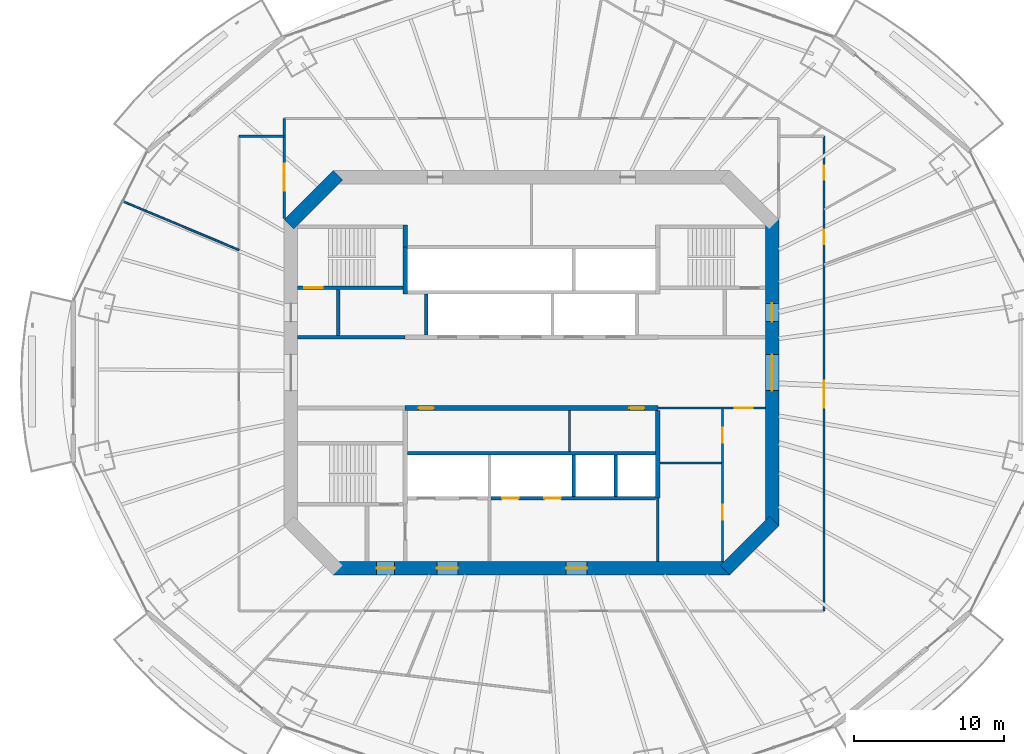
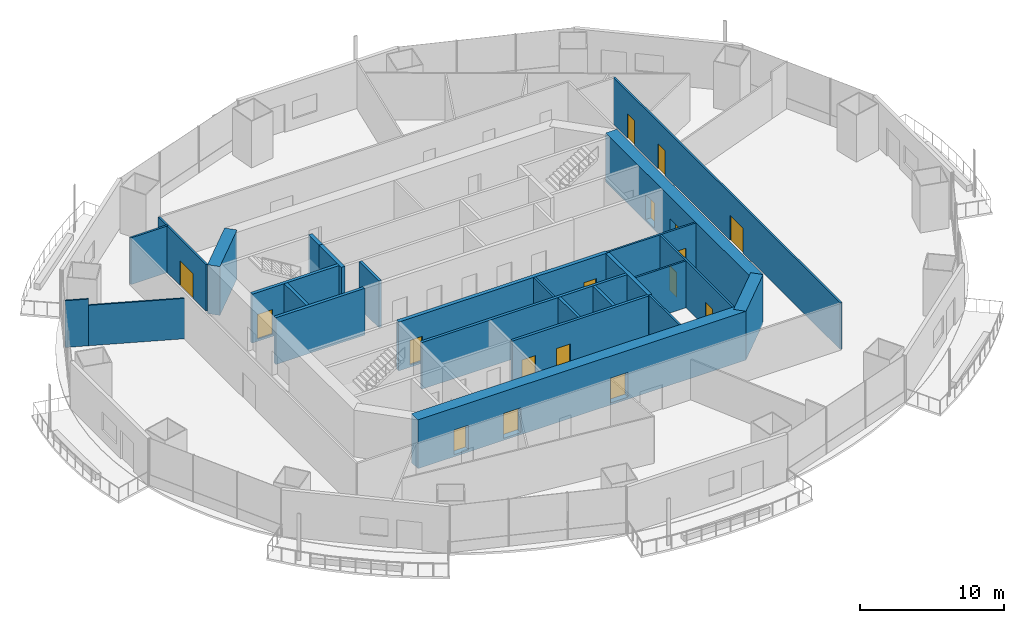
# One storey, part 13 of 21: 26 walls, 17 doors, 17 openings.
"""IFC4 building model written with IfcOpenShell, lengths in metres."""

from ifc_helpers import new_model, si_unit, direction, frame, frame_2d, origin, place, context, subcontext, project, spatial, rectangle, extrude, material, layer, layer_set, type_object, element, fill, save


model = new_model("IFC4")

# Units and contexts
model_context = context("Model", 3, precision=1e-05, world=origin(), true_north=direction((0.0, 1.0)))
body_context = subcontext(model_context, "Body", "Model", "MODEL_VIEW")
ifc_project = project(units=[si_unit("LENGTHUNIT", "METRE"), si_unit("AREAUNIT", "SQUARE_METRE"), si_unit("VOLUMEUNIT", "CUBIC_METRE"), si_unit("PLANEANGLEUNIT", "RADIAN"), si_unit("MASSUNIT", "GRAM", prefix="KILO")], contexts=[model_context])

# Site, building, storey
site_placement = place(None, origin())
site = spatial("IfcSite", under=ifc_project, at=site_placement, CompositionType="ELEMENT")
building_placement = place(site_placement, origin())
building = spatial("IfcBuilding", under=site, at=building_placement, Name="Marenthal Gate Tower", CompositionType="ELEMENT")
storey_placement = place(building_placement, frame((0.0, 0.0, 165.199951171875)))
storey = spatial("IfcBuildingStorey", under=building, at=storey_placement, Name="L35", CompositionType="ELEMENT", Elevation=165.199951171875)

# Wall
ifc_material_1 = material(Name="Concrete 60 MPa", Category="concrete")
ifc_layer_1 = layer(ifc_material_1, 0.89990234375)
ifc_layer_set_1 = layer_set([ifc_layer_1], Name="Core shear wall 900")
wall_type_1 = type_object("IfcWallType", Name="Core shear wall 900", PredefinedType="SHEAR", material=ifc_layer_set_1)
wall_1_placement = place(storey_placement, frame((12.8681640625, -13.1318359375, -0.179931640625), z_axis=(0.0, 0.0, 1.0), x_axis=(0.707106781187, 0.707106781187, 0.0)))
element("IfcWall", 1, at=wall_1_placement, inside=storey, type_object=wall_type_1, Name="Core wall 01", PredefinedType="SHEAR", context=body_context, shape_type="SweptSolid", body=[
    extrude(rectangle(XDim=4.615478515625, YDim=0.89990234375, at=frame_2d((2.3076171875, 0.0))), origin(), (0.0, 0.0, 1.0), 4.14990234375),
])

# Wall, openings, doors
wall_2_placement = place(storey_placement, frame((16.0, -10.186279296875, -0.179931640625), z_axis=(0.0, 0.0, 1.0), x_axis=(0.0, 1.0, 0.0)))
wall_2 = element("IfcWall", 2, at=wall_2_placement, inside=storey, type_object=wall_type_1, Name="Core wall 02", PredefinedType="SHEAR", context=body_context, shape_type="SweptSolid", body=[
    extrude(rectangle(XDim=20.37255859375, YDim=0.89990234375, at=frame_2d((10.186279296875, 0.0))), origin(), (0.0, 0.0, 1.0), 4.14990234375),
])
opening_1_placement = place(wall_2_placement, frame((8.986328125, 0.0, 0.179931640625)))
opening_1 = element("IfcOpeningElement", 3, at=opening_1_placement, cuts=wall_2, Name="Opening D003.02", PredefinedType="OPENING", context=body_context, shape_type="SweptSolid", body=[
    extrude(rectangle(XDim=2.39990234375, YDim=2.10009765625, at=frame_2d((1.199951171875, 1.050048828125))), frame((0.0, 0.4599609375, 0.0), z_axis=(0.0, -1.0, 0.0), x_axis=(1.0, 0.0, 0.0)), (0.0, 0.0, 1.0), 0.919921875),
])
opening_2_placement = place(wall_2_placement, frame((13.58642578125, 0.0, 0.179931640625)))
opening_2 = element("IfcOpeningElement", 4, at=opening_2_placement, cuts=wall_2, Name="Opening D001.05", PredefinedType="OPENING", context=body_context, shape_type="SweptSolid", body=[
    extrude(rectangle(XDim=1.199951171875, YDim=2.10009765625, at=frame_2d((0.60009765625, 1.050048828125))), frame((0.0, 0.4599609375, 0.0), z_axis=(0.0, -1.0, 0.0), x_axis=(1.0, 0.0, 0.0)), (0.0, 0.0, 1.0), 0.919921875),
])
ifc_material_2 = material(Name="Steel fire door", Category="steel")
door_type_1 = type_object("IfcDoorType", Name="Double fire door FD 45 2400 x 2100", OperationType="DOUBLE_DOOR_SINGLE_SWING", PredefinedType="DOOR", material=ifc_material_2)
door_1_placement = place(opening_1_placement, origin())
door_1 = element("IfcDoor", 5, at=door_1_placement, inside=storey, type_object=door_type_1, Name="Door D003.02", OperationType="DOUBLE_DOOR_SINGLE_SWING", OverallHeight=2.10009765625, OverallWidth=2.39990234375, PredefinedType="DOOR", context=body_context, shape_type="SweptSolid", body=[
    extrude(rectangle(XDim=2.39990234375, YDim=2.10009765625, at=frame_2d((1.199951171875, 1.050048828125))), frame((0.0, 0.02490234375, 0.0), z_axis=(0.0, -1.0, 0.0), x_axis=(1.0, 0.0, 0.0)), (0.0, 0.0, 1.0), 0.050048828125),
])
fill(opening_1, door_1)
ifc_material_3 = material(Name="Steel fire door", Category="steel")
door_type_2 = type_object("IfcDoorType", Name="Fire door FD 90 1200 x 2100", OperationType="NOTDEFINED", PredefinedType="DOOR", material=ifc_material_3)
door_2_placement = place(opening_2_placement, origin())
door_2 = element("IfcDoor", 6, at=door_2_placement, inside=storey, type_object=door_type_2, Name="Door D001.05", OperationType="SINGLE_SWING_RIGHT", OverallHeight=2.10009765625, OverallWidth=1.199951171875, PredefinedType="DOOR", context=body_context, shape_type="SweptSolid", body=[
    extrude(rectangle(XDim=1.199951171875, YDim=2.10009765625, at=frame_2d((0.60009765625, 1.050048828125))), frame((0.0, 0.02490234375, 0.0), z_axis=(0.0, -1.0, 0.0), x_axis=(1.0, 0.0, 0.0)), (0.0, 0.0, 1.0), 0.050048828125),
])
fill(opening_2, door_2)

# Wall
wall_3_placement = place(storey_placement, frame((-12.8681640625, 13.1318359375, -0.179931640625), z_axis=(0.0, 0.0, 1.0), x_axis=(-0.707106781187, -0.707106781187, 0.0)))
element("IfcWall", 7, at=wall_3_placement, inside=storey, type_object=wall_type_1, Name="Core wall 05", PredefinedType="SHEAR", context=body_context, shape_type="SweptSolid", body=[
    extrude(rectangle(XDim=4.615478515625, YDim=0.89990234375, at=frame_2d((2.3076171875, 0.0))), origin(), (0.0, 0.0, 1.0), 4.14990234375),
])

# Wall, openings, doors
wall_4_placement = place(storey_placement, frame((-13.186279296875, -13.0, -0.179931640625), z_axis=(0.0, 0.0, 1.0), x_axis=(1.0, 0.0, 0.0)))
wall_4 = element("IfcWall", 8, at=wall_4_placement, inside=storey, type_object=wall_type_1, Name="Core wall 08", PredefinedType="SHEAR", context=body_context, shape_type="SweptSolid", body=[
    extrude(rectangle(XDim=26.37255859375, YDim=0.89990234375, at=frame_2d((13.186279296875, 0.0))), origin(), (0.0, 0.0, 1.0), 4.14990234375),
])
opening_3_placement = place(wall_4_placement, frame((2.886474609375, 0.0, 0.179931640625)))
opening_3 = element("IfcOpeningElement", 9, at=opening_3_placement, cuts=wall_4, Name="Opening D001.06", PredefinedType="OPENING", context=body_context, shape_type="SweptSolid", body=[
    extrude(rectangle(XDim=1.199951171875, YDim=2.10009765625, at=frame_2d((0.60009765625, 1.050048828125))), frame((0.0, 0.4599609375, 0.0), z_axis=(0.0, -1.0, 0.0), x_axis=(1.0, 0.0, 0.0)), (0.0, 0.0, 1.0), 0.919921875),
])
opening_4_placement = place(wall_4_placement, frame((6.886474609375, 0.0, 0.179931640625)))
opening_4 = element("IfcOpeningElement", 10, at=opening_4_placement, cuts=wall_4, Name="Opening D004.01", PredefinedType="OPENING", context=body_context, shape_type="SweptSolid", body=[
    extrude(rectangle(XDim=1.39990234375, YDim=2.10009765625, at=frame_2d((0.699951171875, 1.050048828125))), frame((0.0, 0.4599609375, 0.0), z_axis=(0.0, -1.0, 0.0), x_axis=(1.0, 0.0, 0.0)), (0.0, 0.0, 1.0), 0.919921875),
])
opening_5_placement = place(wall_4_placement, frame((15.486328125, 0.0, 0.179931640625)))
opening_5 = element("IfcOpeningElement", 11, at=opening_5_placement, cuts=wall_4, Name="Opening D004.02", PredefinedType="OPENING", context=body_context, shape_type="SweptSolid", body=[
    extrude(rectangle(XDim=1.39990234375, YDim=2.10009765625, at=frame_2d((0.699951171875, 1.050048828125))), frame((0.0, 0.4599609375, 0.0), z_axis=(0.0, -1.0, 0.0), x_axis=(1.0, 0.0, 0.0)), (0.0, 0.0, 1.0), 0.919921875),
])
ifc_material_4 = material(Name="Steel fire door", Category="steel")
door_type_3 = type_object("IfcDoorType", Name="Fire door FD 45 1400 x 2100", OperationType="NOTDEFINED", PredefinedType="DOOR", material=ifc_material_4)
door_3_placement = place(opening_4_placement, origin())
door_3 = element("IfcDoor", 12, at=door_3_placement, inside=storey, type_object=door_type_3, Name="Door D004.01", OperationType="SINGLE_SWING_RIGHT", OverallHeight=2.10009765625, OverallWidth=1.39990234375, PredefinedType="DOOR", context=body_context, shape_type="SweptSolid", body=[
    extrude(rectangle(XDim=1.39990234375, YDim=2.10009765625, at=frame_2d((0.699951171875, 1.050048828125))), frame((0.0, 0.02490234375, 0.0), z_axis=(0.0, -1.0, 0.0), x_axis=(1.0, 0.0, 0.0)), (0.0, 0.0, 1.0), 0.050048828125),
])
fill(opening_4, door_3)
door_4_placement = place(opening_5_placement, origin())
door_4 = element("IfcDoor", 13, at=door_4_placement, inside=storey, type_object=door_type_3, Name="Door D004.02", OperationType="SINGLE_SWING_RIGHT", OverallHeight=2.10009765625, OverallWidth=1.39990234375, PredefinedType="DOOR", context=body_context, shape_type="SweptSolid", body=[
    extrude(rectangle(XDim=1.39990234375, YDim=2.10009765625, at=frame_2d((0.699951171875, 1.050048828125))), frame((0.0, 0.02490234375, 0.0), z_axis=(0.0, -1.0, 0.0), x_axis=(1.0, 0.0, 0.0)), (0.0, 0.0, 1.0), 0.050048828125),
])
fill(opening_5, door_4)
door_5_placement = place(opening_3_placement, origin())
door_5 = element("IfcDoor", 14, at=door_5_placement, inside=storey, type_object=door_type_2, Name="Door D001.06", OperationType="SINGLE_SWING_RIGHT", OverallHeight=2.10009765625, OverallWidth=1.199951171875, PredefinedType="DOOR", context=body_context, shape_type="SweptSolid", body=[
    extrude(rectangle(XDim=1.199951171875, YDim=2.10009765625, at=frame_2d((0.60009765625, 1.050048828125))), frame((0.0, 0.02490234375, 0.0), z_axis=(0.0, -1.0, 0.0), x_axis=(1.0, 0.0, 0.0)), (0.0, 0.0, 1.0), 0.050048828125),
])
fill(opening_3, door_5)

ifc_material_5 = material(Name="Concrete 50 MPa", Category="concrete")
ifc_layer_2 = layer(ifc_material_5, 0.300048828125)
ifc_layer_set_2 = layer_set([ifc_layer_2], Name="Hoistway shear wall 300")
wall_type_2 = type_object("IfcWallType", Name="Hoistway shear wall 300", PredefinedType="SHEAR", material=ifc_layer_set_2)
wall_5_placement = place(storey_placement, frame((-8.39990234375, -2.35009765625, -0.179931640625), z_axis=(0.0, 0.0, 1.0), x_axis=(1.0, 0.0, 0.0)))
wall_5 = element("IfcWall", 15, at=wall_5_placement, inside=storey, type_object=wall_type_2, Name="Hoistway wall 16", PredefinedType="SHEAR", context=body_context, shape_type="SweptSolid", body=[
    extrude(rectangle(XDim=16.7998046875, YDim=0.300048828125, at=frame_2d((8.39990234375, 0.0))), origin(), (0.0, 0.0, 1.0), 4.14990234375),
])
opening_6_placement = place(wall_5_placement, frame((0.89990234375, 0.0, 0.179931640625)))
opening_6 = element("IfcOpeningElement", 16, at=opening_6_placement, cuts=wall_5, Name="Opening D005.01", PredefinedType="OPENING", context=body_context, shape_type="SweptSolid", body=[
    extrude(rectangle(XDim=1.0, YDim=2.10009765625, at=frame_2d((0.5, 1.050048828125))), frame((0.0, 0.16015625, 0.0), z_axis=(0.0, -1.0, 0.0), x_axis=(1.0, 0.0, 0.0)), (0.0, 0.0, 1.0), 0.320068359375),
])
opening_7_placement = place(wall_5_placement, frame((14.89990234375, 0.0, 0.179931640625)))
opening_7 = element("IfcOpeningElement", 17, at=opening_7_placement, cuts=wall_5, Name="Opening D005.02", PredefinedType="OPENING", context=body_context, shape_type="SweptSolid", body=[
    extrude(rectangle(XDim=1.0, YDim=2.10009765625, at=frame_2d((0.5, 1.050048828125))), frame((0.0, 0.16015625, 0.0), z_axis=(0.0, -1.0, 0.0), x_axis=(1.0, 0.0, 0.0)), (0.0, 0.0, 1.0), 0.320068359375),
])
ifc_material_6 = material(Name="Steel fire door", Category="steel")
door_type_4 = type_object("IfcDoorType", Name="Fire door FD 45 1000 x 2100", OperationType="NOTDEFINED", PredefinedType="DOOR", material=ifc_material_6)
door_6_placement = place(opening_6_placement, frame((1.0, 0.0, 0.0), z_axis=(0.0, 0.0, 1.0), x_axis=(-1.0, 0.0, 0.0)))
door_6 = element("IfcDoor", 18, at=door_6_placement, inside=storey, type_object=door_type_4, Name="Door D005.01", OperationType="SINGLE_SWING_LEFT", OverallHeight=2.10009765625, OverallWidth=1.0, PredefinedType="DOOR", context=body_context, shape_type="SweptSolid", body=[
    extrude(rectangle(XDim=1.0, YDim=2.10009765625, at=frame_2d((0.5, 1.050048828125))), frame((0.0, 0.02490234375, 0.0), z_axis=(0.0, -1.0, 0.0), x_axis=(1.0, 0.0, 0.0)), (0.0, 0.0, 1.0), 0.050048828125),
])
fill(opening_6, door_6)
door_7_placement = place(opening_7_placement, frame((1.0, 0.0, 0.0), z_axis=(0.0, 0.0, 1.0), x_axis=(-1.0, 0.0, 0.0)))
door_7 = element("IfcDoor", 19, at=door_7_placement, inside=storey, type_object=door_type_4, Name="Door D005.02", OperationType="SINGLE_SWING_LEFT", OverallHeight=2.10009765625, OverallWidth=1.0, PredefinedType="DOOR", context=body_context, shape_type="SweptSolid", body=[
    extrude(rectangle(XDim=1.0, YDim=2.10009765625, at=frame_2d((0.5, 1.050048828125))), frame((0.0, 0.02490234375, 0.0), z_axis=(0.0, -1.0, 0.0), x_axis=(1.0, 0.0, 0.0)), (0.0, 0.0, 1.0), 0.050048828125),
])
fill(opening_7, door_7)

# Walls
wall_6_placement = place(storey_placement, frame((-8.39990234375, 5.239990234375, -0.179931640625), z_axis=(0.0, 0.0, 1.0), x_axis=(0.0, 1.0, 0.0)))
element("IfcWall", 20, at=wall_6_placement, inside=storey, type_object=wall_type_2, Name="Hoistway wall 31", PredefinedType="SHEAR", context=body_context, shape_type="SweptSolid", body=[
    extrude(rectangle(XDim=3.110107421875, YDim=0.300048828125, at=frame_2d((1.55517578125, 0.0))), origin(), (0.0, 0.0, 1.0), 4.14990234375),
])
wall_7_placement = place(storey_placement, frame((8.39990234375, -8.35009765625, -0.179931640625), z_axis=(0.0, 0.0, 1.0), x_axis=(0.0, 1.0, 0.0)))
element("IfcWall", 21, at=wall_7_placement, inside=storey, type_object=wall_type_2, Name="Hoistway wall 44", PredefinedType="SHEAR", context=body_context, shape_type="SweptSolid", body=[
    extrude(rectangle(XDim=5.85009765625, YDim=0.300048828125, at=frame_2d((2.925048828125, 0.0))), origin(), (0.0, 0.0, 1.0), 4.14990234375),
])

# Wall, openings, doors
ifc_material_7 = material(Name="Concrete 40 MPa", Category="concrete")
ifc_layer_3 = layer(ifc_material_7, 0.219970703125)
ifc_layer_set_3 = layer_set([ifc_layer_3], Name="Hoistway wall 220")
wall_type_3 = type_object("IfcWallType", Name="Hoistway wall 220", PredefinedType="STANDARD", material=ifc_layer_set_3)
wall_8_placement = place(storey_placement, frame((-2.68994140625, -8.35009765625, 0.0), z_axis=(0.0, 0.0, 1.0), x_axis=(1.0, 0.0, 0.0)))
wall_8 = element("IfcWall", 22, at=wall_8_placement, inside=storey, type_object=wall_type_3, Name="Hoistway wall 11", PredefinedType="STANDARD", context=body_context, shape_type="SweptSolid", body=[
    extrude(rectangle(XDim=10.93994140625, YDim=0.219970703125, at=frame_2d((5.469970703125, 0.0))), origin(), (0.0, 0.0, 1.0), 3.969970703125),
])
opening_8_placement = place(wall_8_placement, frame((0.739990234375, 0.0, 0.0)))
opening_8 = element("IfcOpeningElement", 23, at=opening_8_placement, cuts=wall_8, Name="Opening LD-SV1", PredefinedType="OPENING", context=body_context, shape_type="SweptSolid", body=[
    extrude(rectangle(XDim=1.10009765625, YDim=2.10009765625, at=frame_2d((0.550048828125, 1.050048828125))), frame((0.0, 0.1201171875, 0.0), z_axis=(0.0, -1.0, 0.0), x_axis=(1.0, 0.0, 0.0)), (0.0, 0.0, 1.0), 0.239990234375),
])
opening_9_placement = place(wall_8_placement, frame((3.5400390625, 0.0, 0.0)))
opening_9 = element("IfcOpeningElement", 24, at=opening_9_placement, cuts=wall_8, Name="Opening LD-SV2", PredefinedType="OPENING", context=body_context, shape_type="SweptSolid", body=[
    extrude(rectangle(XDim=1.10009765625, YDim=2.10009765625, at=frame_2d((0.550048828125, 1.050048828125))), frame((0.0, 0.1201171875, 0.0), z_axis=(0.0, -1.0, 0.0), x_axis=(1.0, 0.0, 0.0)), (0.0, 0.0, 1.0), 0.239990234375),
])
ifc_material_8 = material(Name="Stainless steel sliding door", Category="steel")
door_type_5 = type_object("IfcDoorType", Name="Lift landing door FD 90 1100 x 2100", OperationType="DOUBLE_DOOR_SLIDING", PredefinedType="DOOR", material=ifc_material_8)
door_8_placement = place(opening_8_placement, origin())
door_8 = element("IfcDoor", 25, at=door_8_placement, inside=storey, type_object=door_type_5, Name="Lift landing door SV1", OperationType="DOUBLE_DOOR_SLIDING", OverallHeight=2.10009765625, OverallWidth=1.10009765625, PredefinedType="DOOR", context=body_context, shape_type="SweptSolid", body=[
    extrude(rectangle(XDim=1.10009765625, YDim=2.10009765625, at=frame_2d((0.550048828125, 1.050048828125))), frame((0.0, 0.02490234375, 0.0), z_axis=(0.0, -1.0, 0.0), x_axis=(1.0, 0.0, 0.0)), (0.0, 0.0, 1.0), 0.050048828125),
])
fill(opening_8, door_8)
door_9_placement = place(opening_9_placement, origin())
door_9 = element("IfcDoor", 26, at=door_9_placement, inside=storey, type_object=door_type_5, Name="Lift landing door SV2", OperationType="DOUBLE_DOOR_SLIDING", OverallHeight=2.10009765625, OverallWidth=1.10009765625, PredefinedType="DOOR", context=body_context, shape_type="SweptSolid", body=[
    extrude(rectangle(XDim=1.10009765625, YDim=2.10009765625, at=frame_2d((0.550048828125, 1.050048828125))), frame((0.0, 0.02490234375, 0.0), z_axis=(0.0, -1.0, 0.0), x_axis=(1.0, 0.0, 0.0)), (0.0, 0.0, 1.0), 0.050048828125),
])
fill(opening_9, door_9)

# Walls
wall_9_placement = place(storey_placement, frame((-8.25, -5.35009765625, 0.0), z_axis=(0.0, 0.0, 1.0), x_axis=(1.0, 0.0, 0.0)))
element("IfcWall", 27, at=wall_9_placement, inside=storey, type_object=wall_type_3, Name="Hoistway wall 13", PredefinedType="STANDARD", context=body_context, shape_type="SweptSolid", body=[
    extrude(rectangle(XDim=16.5, YDim=0.219970703125, at=frame_2d((8.25, 0.0))), origin(), (0.0, 0.0, 1.0), 3.969970703125),
])
wall_10_placement = place(storey_placement, frame((-7.0, 2.5, 0.0), z_axis=(0.0, 0.0, 1.0), x_axis=(0.0, 1.0, 0.0)))
element("IfcWall", 28, at=wall_10_placement, inside=storey, type_object=wall_type_3, Name="Hoistway wall 33", PredefinedType="STANDARD", context=body_context, shape_type="SweptSolid", body=[
    extrude(rectangle(XDim=2.739990234375, YDim=0.219970703125, at=frame_2d((1.3701171875, 0.0))), origin(), (0.0, 0.0, 1.0), 3.969970703125),
])
for number, where, z_axis, x_axis, name in (
    (29, (2.800048828125, -8.239990234375, 0.0), (0.0, 0.0, 1.0), (0.0, 1.0, 0.0), "Hoistway wall 39"),
    (30, (5.60009765625, -8.239990234375, 0.0), (0.0, 0.0, 1.0), (0.0, 1.0, 0.0), "Hoistway wall 41"),
):
    element("IfcWall", number, at=place(storey_placement, frame(where, z_axis=z_axis, x_axis=x_axis)), inside=storey, type_object=wall_type_3, Name=name, PredefinedType="STANDARD", context=body_context, shape_type="SweptSolid", body=[
        extrude(rectangle(XDim=2.780029296875, YDim=0.219970703125, at=frame_2d((1.39013671875, 0.0))), origin(), (0.0, 0.0, 1.0), 3.969970703125),
    ])
ifc_material_9 = material(Name="Gypsum board on steel studs", Category="steel")
ifc_layer_4 = layer(ifc_material_9, 0.1201171875)
ifc_layer_set_4 = layer_set([ifc_layer_4], Name="Partition 120")
wall_type_4 = type_object("IfcWallType", Name="Partition 120", PredefinedType="PARTITIONING", material=ifc_layer_set_4)
wall_11_placement = place(storey_placement, frame((-19.449951171875, 8.156494140625, 0.0), z_axis=(0.0, 0.0, 1.0), x_axis=(-0.922204794335, 0.386701845489, 0.0)))
element("IfcWall", 31, at=wall_11_placement, inside=storey, type_object=wall_type_4, Name="Partition wall 50", PredefinedType="PARTITIONING", context=body_context, shape_type="SweptSolid", body=[
    extrude(rectangle(XDim=6.743408203125, YDim=0.1201171875, at=frame_2d((3.37158203125, 0.0))), origin(), (0.0, 0.0, 1.0), 3.43408203125),
])
wall_12_placement = place(storey_placement, frame((-25.668701171875, 10.76416015625, 0.0), z_axis=(0.0, 0.0, 1.0), x_axis=(-0.922189295002, 0.386738806151, 0.0)))
element("IfcWall", 32, at=wall_12_placement, inside=storey, type_object=wall_type_4, Name="Partition wall 70", PredefinedType="PARTITIONING", context=body_context, shape_type="SweptSolid", body=[
    extrude(rectangle(XDim=1.656494140625, YDim=0.1201171875, at=frame_2d((0.828125, 0.0))), origin(), (0.0, 0.0, 1.0), 3.969970703125),
])
ifc_material_10 = material(Name="Gypsum board on steel studs", Category="steel")
ifc_layer_5 = layer(ifc_material_10, 0.14990234375)
ifc_layer_set_5 = layer_set([ifc_layer_5], Name="Partition 150")
wall_type_5 = type_object("IfcWallType", Name="Partition 150", PredefinedType="PARTITIONING", material=ifc_layer_set_5)
wall_13_placement = place(storey_placement, frame((8.550048828125, -6.0, 0.0), z_axis=(0.0, 0.0, 1.0), x_axis=(1.0, 0.0, 0.0)))
element("IfcWall", 33, at=wall_13_placement, inside=storey, type_object=wall_type_5, Name="Partition wall 12", PredefinedType="PARTITIONING", context=body_context, shape_type="SweptSolid", body=[
    extrude(rectangle(XDim=4.074951171875, YDim=0.14990234375, at=frame_2d((2.03759765625, 0.0))), origin(), (0.0, 0.0, 1.0), 3.969970703125),
])

# Wall, opening, door
wall_14_placement = place(storey_placement, frame((8.39990234375, -2.35009765625, 0.0), z_axis=(0.0, 0.0, 1.0), x_axis=(1.0, 0.0, 0.0)))
wall_14 = element("IfcWall", 34, at=wall_14_placement, inside=storey, type_object=wall_type_5, Name="Partition wall 17", PredefinedType="PARTITIONING", context=body_context, shape_type="SweptSolid", body=[
    extrude(rectangle(XDim=7.150146484375, YDim=0.14990234375, at=frame_2d((3.5751953125, 0.0))), origin(), (0.0, 0.0, 1.0), 3.969970703125),
])
opening_10_placement = place(wall_14_placement, frame((5.125, 0.0, 0.0)))
opening_10 = element("IfcOpeningElement", 35, at=opening_10_placement, cuts=wall_14, Name="Opening D006.01", PredefinedType="OPENING", context=body_context, shape_type="SweptSolid", body=[
    extrude(rectangle(XDim=1.199951171875, YDim=2.10009765625, at=frame_2d((0.60009765625, 1.050048828125))), frame((0.0, 0.0849609375, 0.0), z_axis=(0.0, -1.0, 0.0), x_axis=(1.0, 0.0, 0.0)), (0.0, 0.0, 1.0), 0.169921875),
])
ifc_material_11 = material(Name="Steel fire door", Category="steel")
door_type_6 = type_object("IfcDoorType", Name="Fire door FD 45 1200 x 2100", OperationType="NOTDEFINED", PredefinedType="DOOR", material=ifc_material_11)
door_10_placement = place(opening_10_placement, frame((1.199951171875, 0.0, 0.0), z_axis=(0.0, 0.0, 1.0), x_axis=(-1.0, 0.0, 0.0)))
door_10 = element("IfcDoor", 36, at=door_10_placement, inside=storey, type_object=door_type_6, Name="Door D006.01", OperationType="SINGLE_SWING_LEFT", OverallHeight=2.10009765625, OverallWidth=1.199951171875, PredefinedType="DOOR", context=body_context, shape_type="SweptSolid", body=[
    extrude(rectangle(XDim=1.199951171875, YDim=2.10009765625, at=frame_2d((0.60009765625, 1.050048828125))), frame((0.0, 0.02490234375, 0.0), z_axis=(0.0, -1.0, 0.0), x_axis=(1.0, 0.0, 0.0)), (0.0, 0.0, 1.0), 0.050048828125),
])
fill(opening_10, door_10)

# Walls
wall_15_placement = place(storey_placement, frame((2.52001953125, -5.239990234375, 0.0), z_axis=(0.0, 0.0, 1.0), x_axis=(0.0, 1.0, 0.0)))
element("IfcWall", 37, at=wall_15_placement, inside=storey, type_object=wall_type_5, Name="Partition wall 38", PredefinedType="PARTITIONING", context=body_context, shape_type="SweptSolid", body=[
    extrude(rectangle(XDim=2.739990234375, YDim=0.14990234375, at=frame_2d((1.3701171875, 0.0))), origin(), (0.0, 0.0, 1.0), 3.969970703125),
])
wall_16_placement = place(storey_placement, frame((8.39990234375, -12.550048828125, 0.0), z_axis=(0.0, 0.0, 1.0), x_axis=(0.0, 1.0, 0.0)))
element("IfcWall", 38, at=wall_16_placement, inside=storey, type_object=wall_type_5, Name="Partition wall 43", PredefinedType="PARTITIONING", context=body_context, shape_type="SweptSolid", body=[
    extrude(rectangle(XDim=4.199951171875, YDim=0.14990234375, at=frame_2d((2.10009765625, 0.0))), origin(), (0.0, 0.0, 1.0), 3.969970703125),
])

# Wall, openings, doors
wall_17_placement = place(storey_placement, frame((12.699951171875, -12.550048828125, 0.0), z_axis=(0.0, 0.0, 1.0), x_axis=(0.0, 1.0, 0.0)))
wall_17 = element("IfcWall", 39, at=wall_17_placement, inside=storey, type_object=wall_type_5, Name="Partition wall 47", PredefinedType="PARTITIONING", context=body_context, shape_type="SweptSolid", body=[
    extrude(rectangle(XDim=10.125, YDim=0.14990234375, at=frame_2d((5.0625, 0.0))), origin(), (0.0, 0.0, 1.0), 3.969970703125),
])
opening_11_placement = place(wall_17_placement, frame((7.875, 0.0, 0.0)))
opening_11 = element("IfcOpeningElement", 40, at=opening_11_placement, cuts=wall_17, Name="Opening D005.05", PredefinedType="OPENING", context=body_context, shape_type="SweptSolid", body=[
    extrude(rectangle(XDim=1.0, YDim=2.10009765625, at=frame_2d((0.5, 1.050048828125))), frame((0.0, 0.0849609375, 0.0), z_axis=(0.0, -1.0, 0.0), x_axis=(1.0, 0.0, 0.0)), (0.0, 0.0, 1.0), 0.169921875),
])
opening_12_placement = place(wall_17_placement, frame((2.77490234375, 0.0, 0.0)))
opening_12 = element("IfcOpeningElement", 41, at=opening_12_placement, cuts=wall_17, Name="Opening D005.06", PredefinedType="OPENING", context=body_context, shape_type="SweptSolid", body=[
    extrude(rectangle(XDim=1.0, YDim=2.10009765625, at=frame_2d((0.5, 1.050048828125))), frame((0.0, 0.0849609375, 0.0), z_axis=(0.0, -1.0, 0.0), x_axis=(1.0, 0.0, 0.0)), (0.0, 0.0, 1.0), 0.169921875),
])
door_11_placement = place(opening_11_placement, origin())
door_11 = element("IfcDoor", 42, at=door_11_placement, inside=storey, type_object=door_type_4, Name="Door D005.05", OperationType="SINGLE_SWING_RIGHT", OverallHeight=2.10009765625, OverallWidth=1.0, PredefinedType="DOOR", context=body_context, shape_type="SweptSolid", body=[
    extrude(rectangle(XDim=1.0, YDim=2.10009765625, at=frame_2d((0.5, 1.050048828125))), frame((0.0, 0.02490234375, 0.0), z_axis=(0.0, -1.0, 0.0), x_axis=(1.0, 0.0, 0.0)), (0.0, 0.0, 1.0), 0.050048828125),
])
fill(opening_11, door_11)
door_12_placement = place(opening_12_placement, origin())
door_12 = element("IfcDoor", 43, at=door_12_placement, inside=storey, type_object=door_type_4, Name="Door D005.06", OperationType="SINGLE_SWING_RIGHT", OverallHeight=2.10009765625, OverallWidth=1.0, PredefinedType="DOOR", context=body_context, shape_type="SweptSolid", body=[
    extrude(rectangle(XDim=1.0, YDim=2.10009765625, at=frame_2d((0.5, 1.050048828125))), frame((0.0, 0.02490234375, 0.0), z_axis=(0.0, -1.0, 0.0), x_axis=(1.0, 0.0, 0.0)), (0.0, 0.0, 1.0), 0.050048828125),
])
fill(opening_12, door_12)

# Wall
wall_18_placement = place(storey_placement, frame((-19.449951171875, 15.731689453125, 0.0), z_axis=(0.0, 0.0, 1.0), x_axis=(1.0, 0.0, 0.0)))
element("IfcWall", 44, at=wall_18_placement, inside=storey, type_object=wall_type_5, Name="Partition wall 51", PredefinedType="PARTITIONING", context=body_context, shape_type="SweptSolid", body=[
    extrude(rectangle(XDim=3.0, YDim=0.14990234375, at=frame_2d((1.5, 0.0))), origin(), (0.0, 0.0, 1.0), 3.969970703125),
])

# Wall, opening, door
wall_19_placement = place(storey_placement, frame((-16.449951171875, 10.25, 0.0), z_axis=(0.0, 0.0, 1.0), x_axis=(0.0, 1.0, 0.0)))
wall_19 = element("IfcWall", 45, at=wall_19_placement, inside=storey, type_object=wall_type_5, Name="Partition wall 53", PredefinedType="PARTITIONING", context=body_context, shape_type="SweptSolid", body=[
    extrude(rectangle(XDim=6.65380859375, YDim=0.14990234375, at=frame_2d((3.326904296875, 0.0))), origin(), (0.0, 0.0, 1.0), 3.969970703125),
])
opening_13_placement = place(wall_19_placement, frame((1.841064453125, 0.0, 0.0)))
opening_13 = element("IfcOpeningElement", 46, at=opening_13_placement, cuts=wall_19, Name="Opening D014.05", PredefinedType="OPENING", context=body_context, shape_type="SweptSolid", body=[
    extrude(rectangle(XDim=1.800048828125, YDim=2.10009765625, at=frame_2d((0.89990234375, 1.050048828125))), frame((0.0, 0.0849609375, 0.0), z_axis=(0.0, -1.0, 0.0), x_axis=(1.0, 0.0, 0.0)), (0.0, 0.0, 1.0), 0.169921875),
])
ifc_material_12 = material(Name="Timber door", Category="wood")
door_type_7 = type_object("IfcDoorType", Name="Double door 1800 x 2100", OperationType="DOUBLE_DOOR_SINGLE_SWING", PredefinedType="DOOR", material=ifc_material_12)
door_13_placement = place(opening_13_placement, origin())
door_13 = element("IfcDoor", 47, at=door_13_placement, inside=storey, type_object=door_type_7, Name="Door D014.05", OperationType="DOUBLE_DOOR_SINGLE_SWING", OverallHeight=2.10009765625, OverallWidth=1.800048828125, PredefinedType="DOOR", context=body_context, shape_type="SweptSolid", body=[
    extrude(rectangle(XDim=1.800048828125, YDim=2.10009765625, at=frame_2d((0.89990234375, 1.050048828125))), frame((0.0, 0.02490234375, 0.0), z_axis=(0.0, -1.0, 0.0), x_axis=(1.0, 0.0, 0.0)), (0.0, 0.0, 1.0), 0.050048828125),
])
fill(opening_13, door_13)

# Wall, openings, doors
wall_20_placement = place(storey_placement, frame((19.449951171875, 15.731689453125, 0.0), z_axis=(0.0, 0.0, 1.0), x_axis=(0.0, -1.0, 0.0)))
wall_20 = element("IfcWall", 48, at=wall_20_placement, inside=storey, type_object=wall_type_5, Name="Partition wall 67", PredefinedType="PARTITIONING", context=body_context, shape_type="SweptSolid", body=[
    extrude(rectangle(XDim=31.581787109375, YDim=0.14990234375, at=frame_2d((15.791015625, 0.0))), origin(), (0.0, 0.0, 1.0), 3.969970703125),
])
opening_14_placement = place(wall_20_placement, frame((1.966064453125, 0.0, 0.0)))
opening_14 = element("IfcOpeningElement", 49, at=opening_14_placement, cuts=wall_20, Name="Opening D016.01", PredefinedType="OPENING", context=body_context, shape_type="SweptSolid", body=[
    extrude(rectangle(XDim=0.949951171875, YDim=2.10009765625, at=frame_2d((0.47509765625, 1.050048828125))), frame((0.0, 0.0849609375, 0.0), z_axis=(0.0, -1.0, 0.0), x_axis=(1.0, 0.0, 0.0)), (0.0, 0.0, 1.0), 0.169921875),
])
opening_15_placement = place(wall_20_placement, frame((6.22998046875, 0.0, 0.0)))
opening_15 = element("IfcOpeningElement", 50, at=opening_15_placement, cuts=wall_20, Name="Opening D016.05", PredefinedType="OPENING", context=body_context, shape_type="SweptSolid", body=[
    extrude(rectangle(XDim=0.949951171875, YDim=2.10009765625, at=frame_2d((0.47509765625, 1.050048828125))), frame((0.0, 0.0849609375, 0.0), z_axis=(0.0, -1.0, 0.0), x_axis=(1.0, 0.0, 0.0)), (0.0, 0.0, 1.0), 0.169921875),
])
opening_16_placement = place(wall_20_placement, frame((16.2548828125, 0.0, 0.0)))
opening_16 = element("IfcOpeningElement", 51, at=opening_16_placement, cuts=wall_20, Name="Opening D014.04", PredefinedType="OPENING", context=body_context, shape_type="SweptSolid", body=[
    extrude(rectangle(XDim=1.800048828125, YDim=2.10009765625, at=frame_2d((0.89990234375, 1.050048828125))), frame((0.0, 0.0849609375, 0.0), z_axis=(0.0, -1.0, 0.0), x_axis=(1.0, 0.0, 0.0)), (0.0, 0.0, 1.0), 0.169921875),
])
ifc_material_13 = material(Name="Timber door", Category="wood")
door_type_8 = type_object("IfcDoorType", Name="Door 950 x 2100", OperationType="NOTDEFINED", PredefinedType="DOOR", material=ifc_material_13)
door_14_placement = place(opening_14_placement, origin())
door_14 = element("IfcDoor", 52, at=door_14_placement, inside=storey, type_object=door_type_8, Name="Door D016.01", OperationType="SINGLE_SWING_RIGHT", OverallHeight=2.10009765625, OverallWidth=0.949951171875, PredefinedType="DOOR", context=body_context, shape_type="SweptSolid", body=[
    extrude(rectangle(XDim=0.949951171875, YDim=2.10009765625, at=frame_2d((0.47509765625, 1.050048828125))), frame((0.0, 0.02490234375, 0.0), z_axis=(0.0, -1.0, 0.0), x_axis=(1.0, 0.0, 0.0)), (0.0, 0.0, 1.0), 0.050048828125),
])
fill(opening_14, door_14)
door_15_placement = place(opening_15_placement, origin())
door_15 = element("IfcDoor", 53, at=door_15_placement, inside=storey, type_object=door_type_8, Name="Door D016.05", OperationType="SINGLE_SWING_RIGHT", OverallHeight=2.10009765625, OverallWidth=0.949951171875, PredefinedType="DOOR", context=body_context, shape_type="SweptSolid", body=[
    extrude(rectangle(XDim=0.949951171875, YDim=2.10009765625, at=frame_2d((0.47509765625, 1.050048828125))), frame((0.0, 0.02490234375, 0.0), z_axis=(0.0, -1.0, 0.0), x_axis=(1.0, 0.0, 0.0)), (0.0, 0.0, 1.0), 0.050048828125),
])
fill(opening_15, door_15)
door_16_placement = place(opening_16_placement, origin())
door_16 = element("IfcDoor", 54, at=door_16_placement, inside=storey, type_object=door_type_7, Name="Door D014.04", OperationType="DOUBLE_DOOR_SINGLE_SWING", OverallHeight=2.10009765625, OverallWidth=1.800048828125, PredefinedType="DOOR", context=body_context, shape_type="SweptSolid", body=[
    extrude(rectangle(XDim=1.800048828125, YDim=2.10009765625, at=frame_2d((0.89990234375, 1.050048828125))), frame((0.0, 0.02490234375, 0.0), z_axis=(0.0, -1.0, 0.0), x_axis=(1.0, 0.0, 0.0)), (0.0, 0.0, 1.0), 0.050048828125),
])
fill(opening_16, door_16)

# Walls
ifc_material_14 = material(Name="Concrete 40 MPa", Category="concrete")
ifc_layer_6 = layer(ifc_material_14, 0.25)
ifc_layer_set_6 = layer_set([ifc_layer_6], Name="Stair enclosure wall 250")
wall_type_6 = type_object("IfcWallType", Name="Stair enclosure wall 250", PredefinedType="STANDARD", material=ifc_layer_set_6)
wall_21_placement = place(storey_placement, frame((-15.550048828125, 2.35009765625, 0.0), z_axis=(0.0, 0.0, 1.0), x_axis=(1.0, 0.0, 0.0)))
element("IfcWall", 55, at=wall_21_placement, inside=storey, type_object=wall_type_6, Name="Stair wall 18", PredefinedType="STANDARD", context=body_context, shape_type="SweptSolid", body=[
    extrude(rectangle(XDim=7.150146484375, YDim=0.25, at=frame_2d((3.5751953125, 0.0))), origin(), (0.0, 0.0, 1.0), 3.969970703125),
])
wall_22_placement = place(storey_placement, frame((-12.85009765625, 2.47509765625, 0.0), z_axis=(0.0, 0.0, 1.0), x_axis=(0.0, 1.0, 0.0)))
element("IfcWall", 56, at=wall_22_placement, inside=storey, type_object=wall_type_6, Name="Stair wall 27", PredefinedType="STANDARD", context=body_context, shape_type="SweptSolid", body=[
    extrude(rectangle(XDim=3.0498046875, YDim=0.25, at=frame_2d((1.52490234375, 0.0))), origin(), (0.0, 0.0, 1.0), 3.969970703125),
])

# Wall, opening, door
ifc_material_15 = material(Name="Concrete 50 MPa", Category="concrete")
ifc_layer_7 = layer(ifc_material_15, 0.25)
ifc_layer_set_7 = layer_set([ifc_layer_7], Name="Stair shear wall 250")
wall_type_7 = type_object("IfcWallType", Name="Stair shear wall 250", PredefinedType="SHEAR", material=ifc_layer_set_7)
wall_23_placement = place(storey_placement, frame((-15.550048828125, 5.64990234375, -0.179931640625), z_axis=(0.0, 0.0, 1.0), x_axis=(1.0, 0.0, 0.0)))
wall_23 = element("IfcWall", 57, at=wall_23_placement, inside=storey, type_object=wall_type_7, Name="Stair wall 22", PredefinedType="SHEAR", context=body_context, shape_type="SweptSolid", body=[
    extrude(rectangle(XDim=7.0, YDim=0.25, at=frame_2d((3.5, 0.0))), origin(), (0.0, 0.0, 1.0), 4.14990234375),
])
opening_17_placement = place(wall_23_placement, frame((0.449951171875, 0.0, 0.179931640625)))
opening_17 = element("IfcOpeningElement", 58, at=opening_17_placement, cuts=wall_23, Name="Opening D001.01", PredefinedType="OPENING", context=body_context, shape_type="SweptSolid", body=[
    extrude(rectangle(XDim=1.199951171875, YDim=2.10009765625, at=frame_2d((0.60009765625, 1.050048828125))), frame((0.0, 0.135009765625, 0.0), z_axis=(0.0, -1.0, 0.0), x_axis=(1.0, 0.0, 0.0)), (0.0, 0.0, 1.0), 0.27001953125),
])
door_17_placement = place(opening_17_placement, origin())
door_17 = element("IfcDoor", 59, at=door_17_placement, inside=storey, type_object=door_type_2, Name="Door D001.01", OperationType="SINGLE_SWING_RIGHT", OverallHeight=2.10009765625, OverallWidth=1.199951171875, PredefinedType="DOOR", context=body_context, shape_type="SweptSolid", body=[
    extrude(rectangle(XDim=1.199951171875, YDim=2.10009765625, at=frame_2d((0.60009765625, 1.050048828125))), frame((0.0, 0.02490234375, 0.0), z_axis=(0.0, -1.0, 0.0), x_axis=(1.0, 0.0, 0.0)), (0.0, 0.0, 1.0), 0.050048828125),
])
fill(opening_17, door_17)

# Wall
ifc_material_16 = material(Name="Concrete 50 MPa", Category="concrete")
ifc_layer_8 = layer(ifc_material_16, 0.300048828125)
ifc_layer_set_8 = layer_set([ifc_layer_8], Name="Stair shear wall 300")
wall_type_8 = type_object("IfcWallType", Name="Stair shear wall 300", PredefinedType="SHEAR", material=ifc_layer_set_8)
wall_24_placement = place(storey_placement, frame((-8.39990234375, 8.35009765625, -0.179931640625), z_axis=(0.0, 0.0, 1.0), x_axis=(0.0, 1.0, 0.0)))
element("IfcWall", 60, at=wall_24_placement, inside=storey, type_object=wall_type_8, Name="Stair wall 32", PredefinedType="SHEAR", context=body_context, shape_type="SweptSolid", body=[
    extrude(rectangle(XDim=1.474853515625, YDim=0.300048828125, at=frame_2d((0.7373046875, 0.0))), origin(), (0.0, 0.0, 1.0), 4.14990234375),
])

save(model, "model.ifc")
